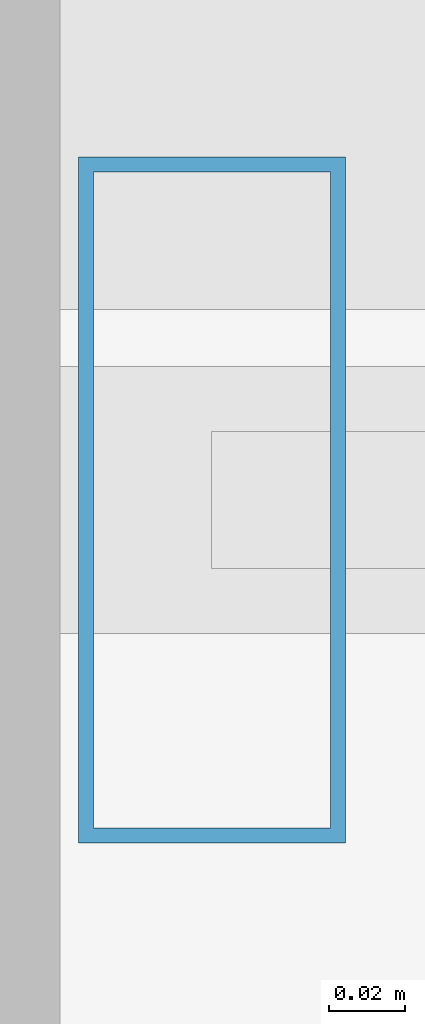
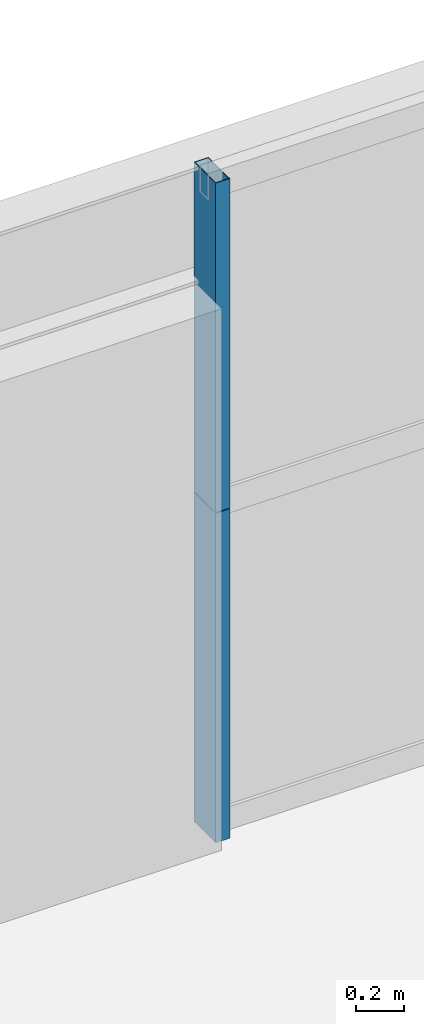
# One storey, part 27 of 43: 2 members, 1 element without a shape of its own.
"""IFC4 building model written with IfcOpenShell, lengths in metres."""

from ifc_helpers import new_model, si_unit, direction, frame, origin, origin_2d, place, context, subcontext, project, spatial, hollow_rectangle, extrude, source, transform, mapped, material, layer, layer_set, material_profile, profile_set, type_object, element, aggregate, save


model = new_model("IFC4")

# Units and contexts
model_context = context("Model", 3, precision=1e-05, world=origin(), true_north=direction((0.0, 1.0)))
body_context = subcontext(model_context, "Body", "Model", "MODEL_VIEW")
ifc_project = project(units=[si_unit("LENGTHUNIT", "METRE"), si_unit("AREAUNIT", "SQUARE_METRE"), si_unit("VOLUMEUNIT", "CUBIC_METRE"), si_unit("PLANEANGLEUNIT", "RADIAN"), si_unit("MASSUNIT", "GRAM", prefix="KILO"), si_unit("THERMODYNAMICTEMPERATUREUNIT", "KELVIN"), si_unit("POWERUNIT", "WATT")], contexts=[model_context])

# Site, building, storey
site_placement = place(None, origin())
site = spatial("IfcSite", under=ifc_project, at=site_placement, CompositionType="ELEMENT")
building_placement = place(site_placement, origin())
building = spatial("IfcBuilding", under=site, at=building_placement, Name="Yuzanri Waterfront Tower", CompositionType="ELEMENT")
storey_placement = place(building_placement, frame((0.0, 0.0, 101.0)))
storey = spatial("IfcBuildingStorey", under=building, at=storey_placement, Name="L26", CompositionType="ELEMENT", Elevation=101.0)

# Curtain wall, members
ifc_material_1 = material(Name="Anodized Architectural Bronze", Category="metal")
ifc_layer = layer(ifc_material_1, 0.159912109375)
ifc_layer_set = layer_set([ifc_layer], Name="Anodized Architectural Bronze")
curtain_wall_type = type_object("IfcCurtainWallType", Name="Anodized Bronze Hotel Upper-Tier Solar-Control Unitized Curtain Wall 7800", PredefinedType="NOTDEFINED", material=ifc_layer_set)
curtain_wall_placement = place(storey_placement, origin())
curtain_wall = element("IfcCurtainWall", 1, at=curtain_wall_placement, inside=storey, type_object=curtain_wall_type, Name="L26 Curtain Wall CW-L26-NL", PredefinedType="NOTDEFINED")
ifc_material_2 = material(Name="Anodized Architectural Bronze", Category="metal")
ifc_material_profile = material_profile(ifc_material_2, hollow_rectangle(XDim=0.070068359375, YDim=0.179931640625, WallThickness=0.00390625, at=origin_2d()), Name="CWM 70x180")
ifc_profile_set = profile_set([ifc_material_profile], Name="Anodized Architectural Bronze")
member_type = type_object("IfcMemberType", Name="Anodized Bronze Standard Curtain-Wall Mullion 70x180", PredefinedType="MULLION", material=ifc_profile_set)
shared_shape = source(origin(), body_context, "Body", "SweptSolid", [
    extrude(hollow_rectangle(XDim=0.070068359375, YDim=0.179931640625, WallThickness=0.00390625, at=origin_2d()), origin(), (0.0, 0.0, 1.0), 1.68798828125),
])
member_1_placement = place(storey_placement, frame((20.7900390625, 49.25, 0.0), z_axis=(0.0, 0.0, 1.0), x_axis=(1.0, 0.0, 0.0)))
member_1 = element("IfcMember", 2, at=member_1_placement, type_object=member_type, Name="CW-L26-NL Lower Mullion 00", PredefinedType="MULLION", context=body_context, shape_type="MappedRepresentation", body=[
    mapped(shared_shape, transform((0.0, 0.0, 0.0), scale=1.0)),
])
member_2_placement = place(storey_placement, frame((20.7900390625, 49.25, 1.69189453125), z_axis=(0.0, 0.0, 1.0), x_axis=(1.0, 0.0, 0.0)))
member_2 = element("IfcMember", 3, at=member_2_placement, type_object=member_type, Name="CW-L26-NL Upper Mullion 00", PredefinedType="MULLION", context=body_context, shape_type="MappedRepresentation", body=[
    mapped(shared_shape, transform((0.0, 0.0, 0.0), scale=1.0)),
])
aggregate(curtain_wall, [member_1, member_2])

save(model, "model.ifc")
